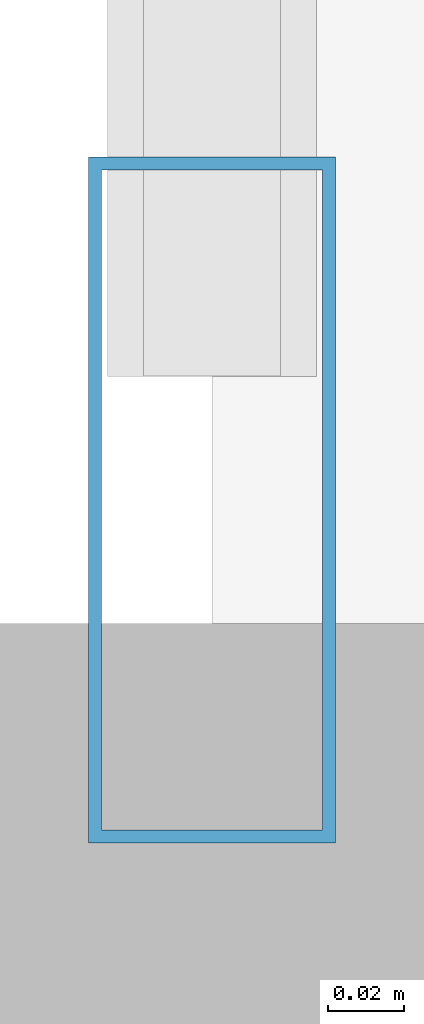
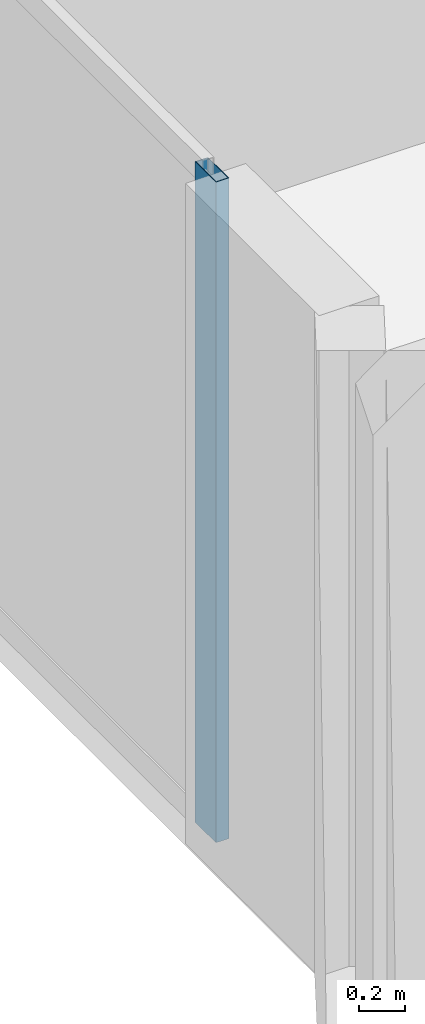
# One storey, part 6 of 23: 1 member, 1 element without a shape of its own.
"""IFC4 building model written with IfcOpenShell, lengths in metres."""

from ifc_helpers import new_model, si_unit, direction, frame, origin, origin_2d, place, context, subcontext, project, spatial, hollow_rectangle, extrude, material, layer, layer_set, material_profile, profile_set, type_object, element, aggregate, save


model = new_model("IFC4")

# Units and contexts
model_context = context("Model", 3, precision=1e-05, world=origin(), true_north=direction((0.0, 1.0)))
body_context = subcontext(model_context, "Body", "Model", "MODEL_VIEW")
ifc_project = project(units=[si_unit("LENGTHUNIT", "METRE"), si_unit("AREAUNIT", "SQUARE_METRE"), si_unit("VOLUMEUNIT", "CUBIC_METRE"), si_unit("PLANEANGLEUNIT", "RADIAN"), si_unit("MASSUNIT", "GRAM", prefix="KILO")], contexts=[model_context])

# Site, building, storey
site_placement = place(None, origin())
site = spatial("IfcSite", under=ifc_project, at=site_placement, CompositionType="ELEMENT")
building_placement = place(site_placement, origin())
building = spatial("IfcBuilding", under=site, at=building_placement, Name="Zuhayl Quay Hotel", CompositionType="ELEMENT")
storey_placement = place(building_placement, frame((0.0, 0.0, 272.949951171875)))
storey = spatial("IfcBuildingStorey", under=building, at=storey_placement, Name="L69", CompositionType="ELEMENT", Elevation=272.949951171875)

# Curtain wall, member
ifc_material_1 = material(Name="Anodised Aluminium 6063-T6", Category="aluminium")
ifc_layer = layer(ifc_material_1, 0.169921875, Name="Anodised Aluminium 6063-T6", Category="aluminium")
ifc_layer_set = layer_set([ifc_layer], Name="Anodised Aluminium 6063-T6")
curtain_wall_type = type_object("IfcCurtainWallType", Name="CW_SYS_Z4", PredefinedType="USERDEFINED", material=ifc_layer_set)
curtain_wall_placement = place(storey_placement, origin())
curtain_wall = element("IfcCurtainWall", 1, at=curtain_wall_placement, inside=storey, type_object=curtain_wall_type, Name="L69 Curtain Wall ENV_L69_E05_CW1", ObjectType="UNITISED CURTAIN WALL", PredefinedType="USERDEFINED")
ifc_material_2 = material(Name="Black-anodised aluminium 6063-T6", Category="aluminium")
ifc_material_profile = material_profile(ifc_material_2, hollow_rectangle(XDim=0.06494140625, YDim=0.179931640625, WallThickness=0.00341796875, at=origin_2d()), Name="ALU180X65")
ifc_profile_set = profile_set([ifc_material_profile], Name="Black-anodised aluminium 6063-T6")
member_type = type_object("IfcMemberType", Name="MB_CW_MUL_180", PredefinedType="MULLION", material=ifc_profile_set)
member_placement = place(storey_placement, frame((-20.199951171875, 25.282470703125, 0.0), z_axis=(0.0, 0.0, 1.0), x_axis=(-1.0, 0.0, 0.0)))
member = element("IfcMember", 2, at=member_placement, type_object=member_type, Name="CW-Z4 mullion 1", PredefinedType="MULLION", context=body_context, shape_type="SweptSolid", body=[
    extrude(hollow_rectangle(XDim=0.06494140625, YDim=0.179931640625, WallThickness=0.00341796875, at=origin_2d()), origin(), (0.0, 0.0, 1.0), 3.47998046875),
])
aggregate(curtain_wall, [member])

save(model, "model.ifc")
